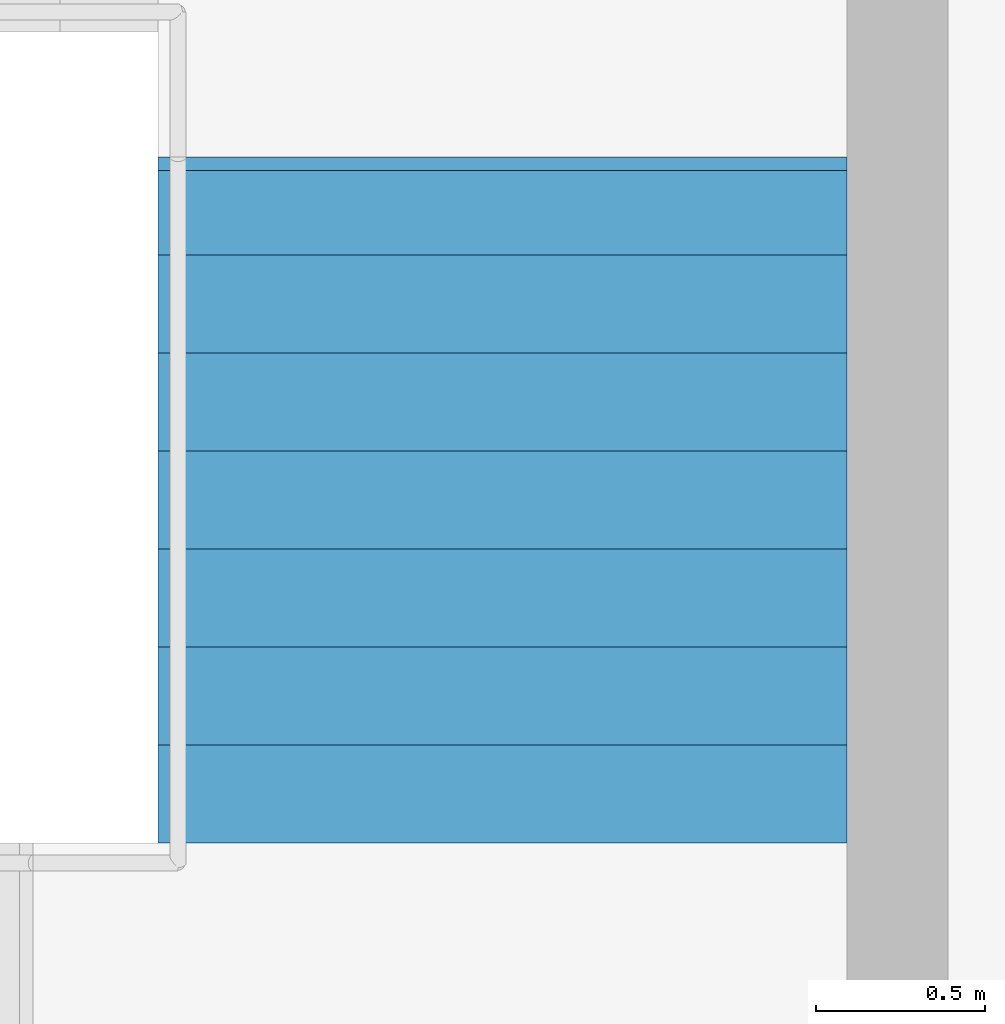
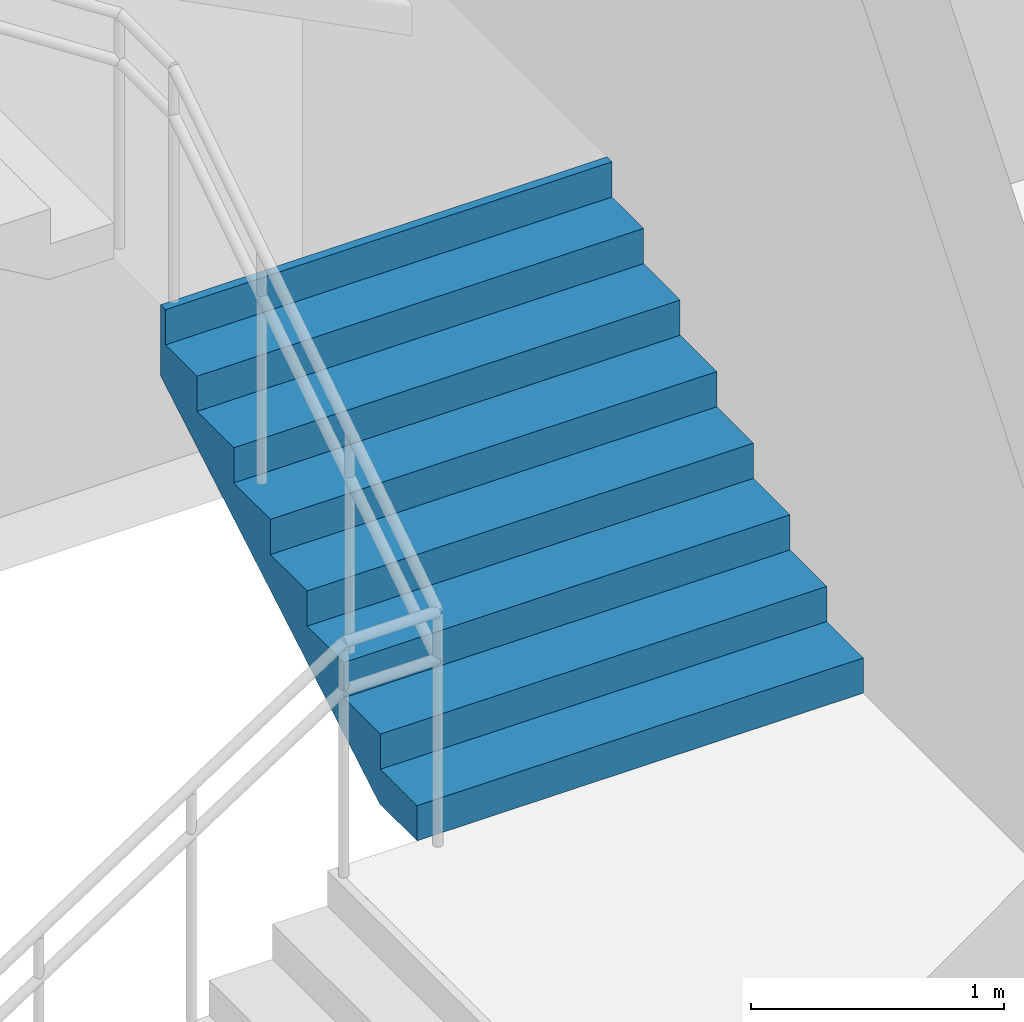
# One storey, part 67 of 72: 1 stair flight, 1 element without a shape of its own.
"""IFC4 building model written with IfcOpenShell, lengths in metres."""

import ifcopenshell
import ifcopenshell.guid

model = None  # the IFC model being written
_history = None  # IfcOwnerHistory: only IFC2X3 demands one
_inside = {}  # id of a spatial element -> (the spatial element, [elements in it])
_under = {}  # id of a project, library or spatial element -> (it, [spatial elements below it])
_declared = {}  # id of a project -> (the project, [libraries it declares])
_typed = {}  # id of a type object -> (the type object, [elements of that type])
_made_of = {}  # id of a material, layer set ... -> (it, [elements and type objects made of it])


def new_model(schema):
    """Start an empty IFC model of exactly this schema.

    Asked for "IFC4X3", IfcOpenShell would pick the latest addendum, in which some entities
    have other attributes; the version numbers below select the first issue.
    IFC2X3 requires an IfcOwnerHistory on every rooted entity: one is made here for all.
    """
    global model, _history
    if schema == "IFC4X3":
        model = ifcopenshell.file(schema_version=(4, 3, 0, 0))
    else:
        model = ifcopenshell.file(schema=schema)
    _inside.clear()
    _under.clear()
    _declared.clear()
    _typed.clear()
    _made_of.clear()
    _history = None
    if model.schema == "IFC2X3":
        org = make("IfcOrganization", Name="unknown")
        user = make(
            "IfcPersonAndOrganization",
            ThePerson=make("IfcPerson", FamilyName="unknown"),
            TheOrganization=org,
        )
        app = make(
            "IfcApplication",
            ApplicationDeveloper=org,
            Version="unknown",
            ApplicationFullName="unknown",
            ApplicationIdentifier="unknown",
        )
        _history = make(
            "IfcOwnerHistory",
            OwningUser=user,
            OwningApplication=app,
            ChangeAction="ADDED",
            CreationDate=0,
        )
    return model


def make(cls, **values):
    """One entity of the class cls with the attributes given. An attribute that is None is left unset."""
    return model.create_entity(
        cls, **{name: value for name, value in values.items() if value is not None}
    )


def rooted(cls, **values):
    """An entity with a GlobalId (a new one), such as an element, a storey or a relation."""
    return make(cls, GlobalId=ifcopenshell.guid.new(), OwnerHistory=_history, **values)


def si_unit(unit_type, name, prefix=None):
    """IfcSIUnit, for example si_unit("LENGTHUNIT", "METRE", prefix="MILLI")."""
    return make("IfcSIUnit", UnitType=unit_type, Prefix=prefix, Name=name)


def assignment(units):
    """IfcUnitAssignment: the units of a project."""
    return None if units is None else make("IfcUnitAssignment", Units=units)


def point(xyz):
    """IfcCartesianPoint."""
    return None if xyz is None else make("IfcCartesianPoint", Coordinates=xyz)


def direction(xyz):
    """IfcDirection."""
    return None if xyz is None else make("IfcDirection", DirectionRatios=xyz)


def frame(location, z_axis=None, x_axis=None):
    """IfcAxis2Placement3D, a coordinate frame: its origin and axes. An axis left out is left unset."""
    return make(
        "IfcAxis2Placement3D",
        Location=point(location),
        Axis=direction(z_axis),
        RefDirection=direction(x_axis),
    )


def origin():
    """The frame at (0, 0, 0) with its axes left unset."""
    return frame((0.0, 0.0, 0.0))


def place(relative_to, where):
    """IfcLocalPlacement: puts the frame where relative to a parent placement (None: the world)."""
    return make(
        "IfcLocalPlacement", PlacementRelTo=relative_to, RelativePlacement=where
    )


def context(
    kind, dimensions, precision=None, world=None, true_north=None, identifier=None
):
    """IfcGeometricRepresentationContext, for example the 3D "Model" context."""
    return make(
        "IfcGeometricRepresentationContext",
        ContextIdentifier=identifier,
        ContextType=kind,
        CoordinateSpaceDimension=dimensions,
        Precision=precision,
        WorldCoordinateSystem=world,
        TrueNorth=true_north,
    )


def subcontext(parent, identifier, kind, view, scale=None):
    """IfcGeometricRepresentationSubContext, for example "Body" below "Model"."""
    return make(
        "IfcGeometricRepresentationSubContext",
        ContextIdentifier=identifier,
        ContextType=kind,
        ParentContext=parent,
        TargetScale=scale,
        TargetView=view,
    )


def project(units=None, contexts=None):
    """IfcProject with its units and contexts."""
    return rooted(
        "IfcProject",
        Name="project",
        RepresentationContexts=contexts,
        UnitsInContext=assignment(units),
    )


def spatial(cls, under=None, at=None, **own):
    """A site, building, storey or space (cls), placed at a placement, below another one or the project."""
    s = rooted(cls, ObjectPlacement=at, **own)
    if under is not None:
        _under.setdefault(under.id(), (under, []))[1].append(s)
    return s


def point_list(points):
    """IfcCartesianPointList2D or 3D."""
    cls = (
        "IfcCartesianPointList2D" if len(points[0]) == 2 else "IfcCartesianPointList3D"
    )
    return make(cls, CoordList=points)


def triangles(points, corners, closed=None, point_numbers=None):
    """IfcTriangulatedFaceSet: each triangle names its three corners, points numbered from 1."""
    return make(
        "IfcTriangulatedFaceSet",
        Coordinates=point_list(points),
        Closed=closed,
        CoordIndex=corners,
        PnIndex=point_numbers,
    )


def shape(context_of_items, identifier, shape_type, items):
    """IfcShapeRepresentation: the items that make up one representation, for example the "Body"."""
    return make(
        "IfcShapeRepresentation",
        ContextOfItems=context_of_items,
        RepresentationIdentifier=identifier,
        RepresentationType=shape_type,
        Items=items,
    )


def material(Name=None, Category=None):
    """IfcMaterial."""
    return make("IfcMaterial", Name=Name, Category=Category)


def made_of(thing, what):
    """Note that an element or type object is made of a material, layer set ...; save() writes the relation."""
    if what is not None:
        _made_of.setdefault(what.id(), (what, []))[1].append(thing)
    return thing


def type_object(cls, material=None, **own):
    """A type object (cls), such as IfcWallType, which elements share."""
    return made_of(rooted(cls, **own), material)


def element(
    cls,
    number,
    at=None,
    inside=None,
    cuts=None,
    type_object=None,
    material=None,
    context=None,
    identifier="Body",
    shape_type=None,
    held_by="IfcProductDefinitionShape",
    body=None,
    shapes=None,
    **own,
):
    """One element of the class cls, such as IfcWall. Its Tag is "e" and its number.

    at: its placement. inside: the storey or other place that contains it. cuts: it is an
    opening in that element (IfcRelVoidsElement). A single representation is given by context,
    identifier, shape_type and body (its items); several are given by shapes. held_by: the class
    of the entity that holds the representations. save() writes the other relations.
    """
    e = rooted(cls, Tag="e%d" % number, ObjectPlacement=at, **own)
    if body is not None:
        shapes = [shape(context, identifier, shape_type, body)]
    if shapes is not None:
        e.Representation = make(held_by, Representations=shapes)
    if inside is not None:
        _inside.setdefault(inside.id(), (inside, []))[1].append(e)
    if cuts is not None:
        rooted(
            "IfcRelVoidsElement", RelatingBuildingElement=cuts, RelatedOpeningElement=e
        )
    if type_object is not None:
        _typed.setdefault(type_object.id(), (type_object, []))[1].append(e)
    return made_of(e, material)


def aggregate(whole, parts):
    """IfcRelAggregates: a whole, such as a stair, and the parts it consists of."""
    return rooted("IfcRelAggregates", RelatingObject=whole, RelatedObjects=parts)


def save(model, path):
    """Write the relations noted so far, then the file.

    IfcRelAggregates (storeys below a building ...), IfcRelContainedInSpatialStructure (elements
    in a storey), IfcRelDefinesByType, IfcRelAssociatesMaterial and IfcRelDeclares: one each for
    every whole, place, type object, material and project.
    """
    for whole, parts in _under.values():
        aggregate(whole, parts)
    for where, things in _inside.values():
        rooted(
            "IfcRelContainedInSpatialStructure",
            RelatedElements=things,
            RelatingStructure=where,
        )
    for kind, things in _typed.values():
        rooted("IfcRelDefinesByType", RelatedObjects=things, RelatingType=kind)
    for what, things in _made_of.values():
        rooted("IfcRelAssociatesMaterial", RelatedObjects=things, RelatingMaterial=what)
    for by, libraries in _declared.values():
        rooted("IfcRelDeclares", RelatingContext=by, RelatedDefinitions=libraries)
    model.write(path)


model = new_model("IFC4")

# Units and contexts
model_context = context("Model", 3, precision=1e-05, world=origin(), true_north=direction((0.0, 1.0)))
body_context = subcontext(model_context, "Body", "Model", "MODEL_VIEW")
ifc_project = project(units=[si_unit("LENGTHUNIT", "METRE"), si_unit("AREAUNIT", "SQUARE_METRE"), si_unit("VOLUMEUNIT", "CUBIC_METRE"), si_unit("PLANEANGLEUNIT", "RADIAN"), si_unit("MASSUNIT", "GRAM", prefix="KILO")], contexts=[model_context])

# Site, building, storey
site_placement = place(None, origin())
site = spatial("IfcSite", under=ifc_project, at=site_placement, CompositionType="ELEMENT")
building_placement = place(site_placement, origin())
building = spatial("IfcBuilding", under=site, at=building_placement, Name="Sillaruma Civic Art Gallery", CompositionType="ELEMENT")
storey_placement = place(building_placement, frame((0.0, 0.0, 10.8798828125)))
storey = spatial("IfcBuildingStorey", under=building, at=storey_placement, Name="L02", CompositionType="ELEMENT", Elevation=10.8798828125)

# Stair, stair flight
ifc_material = material(Name="Concrete H35 (35 MPa)", Category="concrete")
stair_type = type_object("IfcStairType", Name="STR-4F-32", PredefinedType="USERDEFINED", material=ifc_material)
stair_placement = place(storey_placement, origin())
stair = element("IfcStair", 1, at=stair_placement, inside=storey, type_object=stair_type, Name="Protected Exit Stair ST-05 (East Wing) (L02)", ObjectType="THREE_RETURN_STAIR", PredefinedType="USERDEFINED")
stair_flight_type = type_object("IfcStairFlightType", Name="SFL-STR-8", PredefinedType="STRAIGHT", material=ifc_material)
stair_flight_placement = place(storey_placement, frame((147.6201171875, 13.43994140625, 1.360107421875), z_axis=(0.0, 0.0, 1.0), x_axis=(0.0, 1.0, 0.0)))
stair_flight = element("IfcStairFlight", 2, at=stair_flight_placement, type_object=stair_flight_type, Name="ST-05 flight 2", NumberOfRisers=8, NumberOfTreads=7, PredefinedType="STRAIGHT", RiserHeight=0.17, TreadLength=0.29, context=body_context, shape_type="Tessellation", body=[
    triangles([(0.0, -1.02001953125, 0.0), (0.29, -1.02001953125, 0.0), (0.296443, -1.02001953125, 0.0), (0.58, -1.02001953125, 0.166223), (0.87, -1.02001953125, 0.336223), (1.16, -1.02001953125, 0.506223), (1.45, -1.02001953125, 0.676223), (1.74, -1.02001953125, 0.846223), (1.990029, -1.02001953125, 0.992792), (2.030029, -1.02001953125, 1.01624), (2.030029, -1.02001953125, 1.36), (1.990029, -1.02001953125, 1.36), (1.990029, -1.02001953125, 1.19), (1.74, -1.02001953125, 1.19), (1.74, -1.02001953125, 1.02), (1.45, -1.02001953125, 1.02), (1.45, -1.02001953125, 0.85), (1.16, -1.02001953125, 0.85), (1.16, -1.02001953125, 0.68), (0.87, -1.02001953125, 0.68), (0.87, -1.02001953125, 0.51), (0.58, -1.02001953125, 0.51), (0.58, -1.02001953125, 0.34), (0.296443, -1.02001953125, 0.34), (0.29, -1.02001953125, 0.34), (0.29, -1.02001953125, 0.17), (0.0, -1.02001953125, 0.17), (0.0, -0.05, 0.0), (0.29, -0.05, 0.0), (0.296443, -0.05, 0.0), (0.58, -0.05, 0.166223), (0.87, -0.05, 0.336223), (1.16, -0.05, 0.506223), (1.45, -0.05, 0.676223), (1.74, -0.05, 0.846223), (1.990029, -0.05, 0.992792), (2.030029, -0.05, 1.01624), (2.030029, -0.05, 1.36), (1.990029, -0.05, 1.36), (1.990029, -0.05, 1.19), (1.74, -0.05, 1.19), (1.74, -0.05, 1.02), (1.45, -0.05, 1.02), (1.45, -0.05, 0.85), (1.16, -0.05, 0.85), (1.16, -0.05, 0.68), (0.87, -0.05, 0.68), (0.87, -0.05, 0.51), (0.58, -0.05, 0.51), (0.58, -0.05, 0.34), (0.296443, -0.05, 0.34), (0.29, -0.05, 0.34), (0.29, -0.05, 0.17), (0.0, -0.05, 0.17), (0.0, -0.0375, 0.0), (0.29, -0.0375, 0.0), (0.296443, -0.0375, 0.0), (0.58, -0.0375, 0.166223), (0.87, -0.0375, 0.336223), (1.16, -0.0375, 0.506223), (1.45, -0.0375, 0.676223), (1.74, -0.0375, 0.846223), (1.990029, -0.0375, 0.992792), (2.030029, -0.0375, 1.01624), (2.030029, -0.0375, 1.36), (1.990029, -0.0375, 1.36), (1.990029, -0.0375, 1.19), (1.74, -0.0375, 1.19), (1.74, -0.0375, 1.02), (1.45, -0.0375, 1.02), (1.45, -0.0375, 0.85), (1.16, -0.0375, 0.85), (1.16, -0.0375, 0.68), (0.87, -0.0375, 0.68), (0.87, -0.0375, 0.51), (0.58, -0.0375, 0.51), (0.58, -0.0375, 0.34), (0.296443, -0.0375, 0.34), (0.29, -0.0375, 0.34), (0.29, -0.0375, 0.17), (0.0, -0.0375, 0.17), (0.0, -0.025, 0.0), (0.29, -0.025, 0.0), (0.296443, -0.025, 0.0), (0.58, -0.025, 0.166223), (0.87, -0.025, 0.336223), (1.16, -0.025, 0.506223), (1.45, -0.025, 0.676223), (1.74, -0.025, 0.846223), (1.990029, -0.025, 0.992792), (2.030029, -0.025, 1.01624), (2.030029, -0.025, 1.36), (1.990029, -0.025, 1.36), (1.990029, -0.025, 1.19), (1.74, -0.025, 1.19), (1.74, -0.025, 1.02), (1.45, -0.025, 1.02), (1.45, -0.025, 0.85), (1.16, -0.025, 0.85), (1.16, -0.025, 0.68), (0.87, -0.025, 0.68), (0.87, -0.025, 0.51), (0.58, -0.025, 0.51), (0.58, -0.025, 0.34), (0.296443, -0.025, 0.34), (0.29, -0.025, 0.34), (0.29, -0.025, 0.17), (0.0, -0.025, 0.17), (0.0, -0.0125, 0.0), (0.29, -0.0125, 0.0), (0.296443, -0.0125, 0.0), (0.58, -0.0125, 0.166223), (0.87, -0.0125, 0.336223), (1.16, -0.0125, 0.506223), (1.45, -0.0125, 0.676223), (1.74, -0.0125, 0.846223), (1.990029, -0.0125, 0.992792), (2.030029, -0.0125, 1.01624), (2.030029, -0.0125, 1.36), (1.990029, -0.0125, 1.36), (1.990029, -0.0125, 1.19), (1.74, -0.0125, 1.19), (1.74, -0.0125, 1.02), (1.45, -0.0125, 1.02), (1.45, -0.0125, 0.85), (1.16, -0.0125, 0.85), (1.16, -0.0125, 0.68), (0.87, -0.0125, 0.68), (0.87, -0.0125, 0.51), (0.58, -0.0125, 0.51), (0.58, -0.0125, 0.34), (0.296443, -0.0125, 0.34), (0.29, -0.0125, 0.34), (0.29, -0.0125, 0.17), (0.0, -0.0125, 0.17), (0.0, 0.0, 0.0), (0.29, 0.0, 0.0), (0.296443, 0.0, 0.0), (0.58, 0.0, 0.166223), (0.87, 0.0, 0.336223), (1.16, 0.0, 0.506223), (1.45, 0.0, 0.676223), (1.74, 0.0, 0.846223), (1.990029, 0.0, 0.992792), (2.030029, 0.0, 1.01624), (2.030029, 0.0, 1.36), (1.990029, 0.0, 1.36), (1.990029, 0.0, 1.19), (1.74, 0.0, 1.19), (1.74, 0.0, 1.02), (1.45, 0.0, 1.02), (1.45, 0.0, 0.85), (1.16, 0.0, 0.85), (1.16, 0.0, 0.68), (0.87, 0.0, 0.68), (0.87, 0.0, 0.51), (0.58, 0.0, 0.51), (0.58, 0.0, 0.34), (0.296443, 0.0, 0.34), (0.29, 0.0, 0.34), (0.29, 0.0, 0.17), (0.0, 0.0, 0.17), (0.0, 0.0125, 0.0), (0.29, 0.0125, 0.0), (0.296443, 0.0125, 0.0), (0.58, 0.0125, 0.166223), (0.87, 0.0125, 0.336223), (1.16, 0.0125, 0.506223), (1.45, 0.0125, 0.676223), (1.74, 0.0125, 0.846223), (1.990029, 0.0125, 0.992792), (2.030029, 0.0125, 1.01624), (2.030029, 0.0125, 1.36), (1.990029, 0.0125, 1.36), (1.990029, 0.0125, 1.19), (1.74, 0.0125, 1.19), (1.74, 0.0125, 1.02), (1.45, 0.0125, 1.02), (1.45, 0.0125, 0.85), (1.16, 0.0125, 0.85), (1.16, 0.0125, 0.68), (0.87, 0.0125, 0.68), (0.87, 0.0125, 0.51), (0.58, 0.0125, 0.51), (0.58, 0.0125, 0.34), (0.296443, 0.0125, 0.34), (0.29, 0.0125, 0.34), (0.29, 0.0125, 0.17), (0.0, 0.0125, 0.17), (0.0, 0.025, 0.0), (0.29, 0.025, 0.0), (0.296443, 0.025, 0.0), (0.58, 0.025, 0.166223), (0.87, 0.025, 0.336223), (1.16, 0.025, 0.506223), (1.45, 0.025, 0.676223), (1.74, 0.025, 0.846223), (1.990029, 0.025, 0.992792), (2.030029, 0.025, 1.01624), (2.030029, 0.025, 1.36), (1.990029, 0.025, 1.36), (1.990029, 0.025, 1.19), (1.74, 0.025, 1.19), (1.74, 0.025, 1.02), (1.45, 0.025, 1.02), (1.45, 0.025, 0.85), (1.16, 0.025, 0.85), (1.16, 0.025, 0.68), (0.87, 0.025, 0.68), (0.87, 0.025, 0.51), (0.58, 0.025, 0.51), (0.58, 0.025, 0.34), (0.296443, 0.025, 0.34), (0.29, 0.025, 0.34), (0.29, 0.025, 0.17), (0.0, 0.025, 0.17), (0.0, 0.0375, 0.0), (0.29, 0.0375, 0.0), (0.296443, 0.0375, 0.0), (0.58, 0.0375, 0.166223), (0.87, 0.0375, 0.336223), (1.16, 0.0375, 0.506223), (1.45, 0.0375, 0.676223), (1.74, 0.0375, 0.846223), (1.990029, 0.0375, 0.992792), (2.030029, 0.0375, 1.01624), (2.030029, 0.0375, 1.36), (1.990029, 0.0375, 1.36), (1.990029, 0.0375, 1.19), (1.74, 0.0375, 1.19), (1.74, 0.0375, 1.02), (1.45, 0.0375, 1.02), (1.45, 0.0375, 0.85), (1.16, 0.0375, 0.85), (1.16, 0.0375, 0.68), (0.87, 0.0375, 0.68), (0.87, 0.0375, 0.51), (0.58, 0.0375, 0.51), (0.58, 0.0375, 0.34), (0.296443, 0.0375, 0.34), (0.29, 0.0375, 0.34), (0.29, 0.0375, 0.17), (0.0, 0.0375, 0.17), (0.0, 0.05, 0.0), (0.29, 0.05, 0.0), (0.296443, 0.05, 0.0), (0.58, 0.05, 0.166223), (0.87, 0.05, 0.336223), (1.16, 0.05, 0.506223), (1.45, 0.05, 0.676223), (1.74, 0.05, 0.846223), (1.990029, 0.05, 0.992792), (2.030029, 0.05, 1.01624), (2.030029, 0.05, 1.36), (1.990029, 0.05, 1.36), (1.990029, 0.05, 1.19), (1.74, 0.05, 1.19), (1.74, 0.05, 1.02), (1.45, 0.05, 1.02), (1.45, 0.05, 0.85), (1.16, 0.05, 0.85), (1.16, 0.05, 0.68), (0.87, 0.05, 0.68), (0.87, 0.05, 0.51), (0.58, 0.05, 0.51), (0.58, 0.05, 0.34), (0.296443, 0.05, 0.34), (0.29, 0.05, 0.34), (0.29, 0.05, 0.17), (0.0, 0.05, 0.17), (0.0, 1.02001953125, 0.0), (0.29, 1.02001953125, 0.0), (0.296443, 1.02001953125, 0.0), (0.58, 1.02001953125, 0.166223), (0.87, 1.02001953125, 0.336223), (1.16, 1.02001953125, 0.506223), (1.45, 1.02001953125, 0.676223), (1.74, 1.02001953125, 0.846223), (1.990029, 1.02001953125, 0.992792), (2.030029, 1.02001953125, 1.01624), (2.030029, 1.02001953125, 1.36), (1.990029, 1.02001953125, 1.36), (1.990029, 1.02001953125, 1.19), (1.74, 1.02001953125, 1.19), (1.74, 1.02001953125, 1.02), (1.45, 1.02001953125, 1.02), (1.45, 1.02001953125, 0.85), (1.16, 1.02001953125, 0.85), (1.16, 1.02001953125, 0.68), (0.87, 1.02001953125, 0.68), (0.87, 1.02001953125, 0.51), (0.58, 1.02001953125, 0.51), (0.58, 1.02001953125, 0.34), (0.296443, 1.02001953125, 0.34), (0.29, 1.02001953125, 0.34), (0.29, 1.02001953125, 0.17), (0.0, 1.02001953125, 0.17)], [[1, 2, 26], [1, 26, 27], [2, 3, 24], [2, 24, 26], [26, 24, 25], [3, 4, 23], [3, 23, 24], [4, 5, 21], [4, 21, 23], [23, 21, 22], [5, 6, 19], [5, 19, 21], [21, 19, 20], [6, 7, 17], [6, 17, 19], [19, 17, 18], [7, 8, 15], [7, 15, 17], [17, 15, 16], [8, 9, 13], [8, 13, 15], [15, 13, 14], [9, 10, 11], [9, 11, 13], [13, 11, 12], [296, 272, 271], [297, 296, 271], [294, 273, 272], [296, 294, 272], [295, 294, 296], [293, 274, 273], [294, 293, 273], [291, 275, 274], [293, 291, 274], [292, 291, 293], [289, 276, 275], [291, 289, 275], [290, 289, 291], [287, 277, 276], [289, 287, 276], [288, 287, 289], [285, 278, 277], [287, 285, 277], [286, 285, 287], [283, 279, 278], [285, 283, 278], [284, 283, 285], [281, 280, 279], [283, 281, 279], [282, 281, 283], [2, 1, 28], [2, 28, 29], [3, 2, 29], [3, 29, 30], [4, 3, 30], [4, 30, 31], [5, 4, 31], [5, 31, 32], [6, 5, 32], [6, 32, 33], [7, 6, 33], [7, 33, 34], [8, 7, 34], [8, 34, 35], [9, 8, 35], [9, 35, 36], [10, 9, 36], [10, 36, 37], [11, 10, 37], [11, 37, 38], [12, 11, 38], [12, 38, 39], [13, 12, 39], [13, 39, 40], [14, 13, 40], [14, 40, 41], [15, 14, 41], [15, 41, 42], [16, 15, 42], [16, 42, 43], [17, 16, 43], [17, 43, 44], [18, 17, 44], [18, 44, 45], [19, 18, 45], [19, 45, 46], [20, 19, 46], [20, 46, 47], [21, 20, 47], [21, 47, 48], [22, 21, 48], [22, 48, 49], [23, 22, 49], [23, 49, 50], [24, 23, 50], [24, 50, 51], [25, 24, 51], [25, 51, 52], [26, 25, 52], [26, 52, 53], [27, 26, 53], [27, 53, 54], [1, 27, 54], [1, 54, 28], [29, 28, 55], [29, 55, 56], [30, 29, 56], [30, 56, 57], [31, 30, 57], [31, 57, 58], [32, 31, 58], [32, 58, 59], [33, 32, 59], [33, 59, 60], [34, 33, 60], [34, 60, 61], [35, 34, 61], [35, 61, 62], [36, 35, 62], [36, 62, 63], [37, 36, 63], [37, 63, 64], [38, 37, 64], [38, 64, 65], [39, 38, 65], [39, 65, 66], [40, 39, 66], [40, 66, 67], [41, 40, 67], [41, 67, 68], [42, 41, 68], [42, 68, 69], [43, 42, 69], [43, 69, 70], [44, 43, 70], [44, 70, 71], [45, 44, 71], [45, 71, 72], [46, 45, 72], [46, 72, 73], [47, 46, 73], [47, 73, 74], [48, 47, 74], [48, 74, 75], [49, 48, 75], [49, 75, 76], [50, 49, 76], [50, 76, 77], [51, 50, 77], [51, 77, 78], [52, 51, 78], [52, 78, 79], [53, 52, 79], [53, 79, 80], [54, 53, 80], [54, 80, 81], [28, 54, 81], [28, 81, 55], [56, 55, 82], [56, 82, 83], [57, 56, 83], [57, 83, 84], [58, 57, 84], [58, 84, 85], [59, 58, 85], [59, 85, 86], [60, 59, 86], [60, 86, 87], [61, 60, 87], [61, 87, 88], [62, 61, 88], [62, 88, 89], [63, 62, 89], [63, 89, 90], [64, 63, 90], [64, 90, 91], [65, 64, 91], [65, 91, 92], [66, 65, 92], [66, 92, 93], [67, 66, 93], [67, 93, 94], [68, 67, 94], [68, 94, 95], [69, 68, 95], [69, 95, 96], [70, 69, 96], [70, 96, 97], [71, 70, 97], [71, 97, 98], [72, 71, 98], [72, 98, 99], [73, 72, 99], [73, 99, 100], [74, 73, 100], [74, 100, 101], [75, 74, 101], [75, 101, 102], [76, 75, 102], [76, 102, 103], [77, 76, 103], [77, 103, 104], [78, 77, 104], [78, 104, 105], [79, 78, 105], [79, 105, 106], [80, 79, 106], [80, 106, 107], [81, 80, 107], [81, 107, 108], [55, 81, 108], [55, 108, 82], [83, 82, 109], [83, 109, 110], [84, 83, 110], [84, 110, 111], [85, 84, 111], [85, 111, 112], [86, 85, 112], [86, 112, 113], [87, 86, 113], [87, 113, 114], [88, 87, 114], [88, 114, 115], [89, 88, 115], [89, 115, 116], [90, 89, 116], [90, 116, 117], [91, 90, 117], [91, 117, 118], [92, 91, 118], [92, 118, 119], [93, 92, 119], [93, 119, 120], [94, 93, 120], [94, 120, 121], [95, 94, 121], [95, 121, 122], [96, 95, 122], [96, 122, 123], [97, 96, 123], [97, 123, 124], [98, 97, 124], [98, 124, 125], [99, 98, 125], [99, 125, 126], [100, 99, 126], [100, 126, 127], [101, 100, 127], [101, 127, 128], [102, 101, 128], [102, 128, 129], [103, 102, 129], [103, 129, 130], [104, 103, 130], [104, 130, 131], [105, 104, 131], [105, 131, 132], [106, 105, 132], [106, 132, 133], [107, 106, 133], [107, 133, 134], [108, 107, 134], [108, 134, 135], [82, 108, 135], [82, 135, 109], [110, 109, 136], [110, 136, 137], [111, 110, 137], [111, 137, 138], [112, 111, 138], [112, 138, 139], [113, 112, 139], [113, 139, 140], [114, 113, 140], [114, 140, 141], [115, 114, 141], [115, 141, 142], [116, 115, 142], [116, 142, 143], [117, 116, 143], [117, 143, 144], [118, 117, 144], [118, 144, 145], [119, 118, 145], [119, 145, 146], [120, 119, 146], [120, 146, 147], [121, 120, 147], [121, 147, 148], [122, 121, 148], [122, 148, 149], [123, 122, 149], [123, 149, 150], [124, 123, 150], [124, 150, 151], [125, 124, 151], [125, 151, 152], [126, 125, 152], [126, 152, 153], [127, 126, 153], [127, 153, 154], [128, 127, 154], [128, 154, 155], [129, 128, 155], [129, 155, 156], [130, 129, 156], [130, 156, 157], [131, 130, 157], [131, 157, 158], [132, 131, 158], [132, 158, 159], [133, 132, 159], [133, 159, 160], [134, 133, 160], [134, 160, 161], [135, 134, 161], [135, 161, 162], [109, 135, 162], [109, 162, 136], [137, 136, 163], [137, 163, 164], [138, 137, 164], [138, 164, 165], [139, 138, 165], [139, 165, 166], [140, 139, 166], [140, 166, 167], [141, 140, 167], [141, 167, 168], [142, 141, 168], [142, 168, 169], [143, 142, 169], [143, 169, 170], [144, 143, 170], [144, 170, 171], [145, 144, 171], [145, 171, 172], [146, 145, 172], [146, 172, 173], [147, 146, 173], [147, 173, 174], [148, 147, 174], [148, 174, 175], [149, 148, 175], [149, 175, 176], [150, 149, 176], [150, 176, 177], [151, 150, 177], [151, 177, 178], [152, 151, 178], [152, 178, 179], [153, 152, 179], [153, 179, 180], [154, 153, 180], [154, 180, 181], [155, 154, 181], [155, 181, 182], [156, 155, 182], [156, 182, 183], [157, 156, 183], [157, 183, 184], [158, 157, 184], [158, 184, 185], [159, 158, 185], [159, 185, 186], [160, 159, 186], [160, 186, 187], [161, 160, 187], [161, 187, 188], [162, 161, 188], [162, 188, 189], [136, 162, 189], [136, 189, 163], [164, 163, 190], [164, 190, 191], [165, 164, 191], [165, 191, 192], [166, 165, 192], [166, 192, 193], [167, 166, 193], [167, 193, 194], [168, 167, 194], [168, 194, 195], [169, 168, 195], [169, 195, 196], [170, 169, 196], [170, 196, 197], [171, 170, 197], [171, 197, 198], [172, 171, 198], [172, 198, 199], [173, 172, 199], [173, 199, 200], [174, 173, 200], [174, 200, 201], [175, 174, 201], [175, 201, 202], [176, 175, 202], [176, 202, 203], [177, 176, 203], [177, 203, 204], [178, 177, 204], [178, 204, 205], [179, 178, 205], [179, 205, 206], [180, 179, 206], [180, 206, 207], [181, 180, 207], [181, 207, 208], [182, 181, 208], [182, 208, 209], [183, 182, 209], [183, 209, 210], [184, 183, 210], [184, 210, 211], [185, 184, 211], [185, 211, 212], [186, 185, 212], [186, 212, 213], [187, 186, 213], [187, 213, 214], [188, 187, 214], [188, 214, 215], [189, 188, 215], [189, 215, 216], [163, 189, 216], [163, 216, 190], [191, 190, 217], [191, 217, 218], [192, 191, 218], [192, 218, 219], [193, 192, 219], [193, 219, 220], [194, 193, 220], [194, 220, 221], [195, 194, 221], [195, 221, 222], [196, 195, 222], [196, 222, 223], [197, 196, 223], [197, 223, 224], [198, 197, 224], [198, 224, 225], [199, 198, 225], [199, 225, 226], [200, 199, 226], [200, 226, 227], [201, 200, 227], [201, 227, 228], [202, 201, 228], [202, 228, 229], [203, 202, 229], [203, 229, 230], [204, 203, 230], [204, 230, 231], [205, 204, 231], [205, 231, 232], [206, 205, 232], [206, 232, 233], [207, 206, 233], [207, 233, 234], [208, 207, 234], [208, 234, 235], [209, 208, 235], [209, 235, 236], [210, 209, 236], [210, 236, 237], [211, 210, 237], [211, 237, 238], [212, 211, 238], [212, 238, 239], [213, 212, 239], [213, 239, 240], [214, 213, 240], [214, 240, 241], [215, 214, 241], [215, 241, 242], [216, 215, 242], [216, 242, 243], [190, 216, 243], [190, 243, 217], [218, 217, 244], [218, 244, 245], [219, 218, 245], [219, 245, 246], [220, 219, 246], [220, 246, 247], [221, 220, 247], [221, 247, 248], [222, 221, 248], [222, 248, 249], [223, 222, 249], [223, 249, 250], [224, 223, 250], [224, 250, 251], [225, 224, 251], [225, 251, 252], [226, 225, 252], [226, 252, 253], [227, 226, 253], [227, 253, 254], [228, 227, 254], [228, 254, 255], [229, 228, 255], [229, 255, 256], [230, 229, 256], [230, 256, 257], [231, 230, 257], [231, 257, 258], [232, 231, 258], [232, 258, 259], [233, 232, 259], [233, 259, 260], [234, 233, 260], [234, 260, 261], [235, 234, 261], [235, 261, 262], [236, 235, 262], [236, 262, 263], [237, 236, 263], [237, 263, 264], [238, 237, 264], [238, 264, 265], [239, 238, 265], [239, 265, 266], [240, 239, 266], [240, 266, 267], [241, 240, 267], [241, 267, 268], [242, 241, 268], [242, 268, 269], [243, 242, 269], [243, 269, 270], [217, 243, 270], [217, 270, 244], [245, 244, 271], [245, 271, 272], [246, 245, 272], [246, 272, 273], [247, 246, 273], [247, 273, 274], [248, 247, 274], [248, 274, 275], [249, 248, 275], [249, 275, 276], [250, 249, 276], [250, 276, 277], [251, 250, 277], [251, 277, 278], [252, 251, 278], [252, 278, 279], [253, 252, 279], [253, 279, 280], [254, 253, 280], [254, 280, 281], [255, 254, 281], [255, 281, 282], [256, 255, 282], [256, 282, 283], [257, 256, 283], [257, 283, 284], [258, 257, 284], [258, 284, 285], [259, 258, 285], [259, 285, 286], [260, 259, 286], [260, 286, 287], [261, 260, 287], [261, 287, 288], [262, 261, 288], [262, 288, 289], [263, 262, 289], [263, 289, 290], [264, 263, 290], [264, 290, 291], [265, 264, 291], [265, 291, 292], [266, 265, 292], [266, 292, 293], [267, 266, 293], [267, 293, 294], [268, 267, 294], [268, 294, 295], [269, 268, 295], [269, 295, 296], [270, 269, 296], [270, 296, 297], [244, 270, 297], [244, 297, 271]], closed=True),
])
aggregate(stair, [stair_flight])

save(model, "model.ifc")
